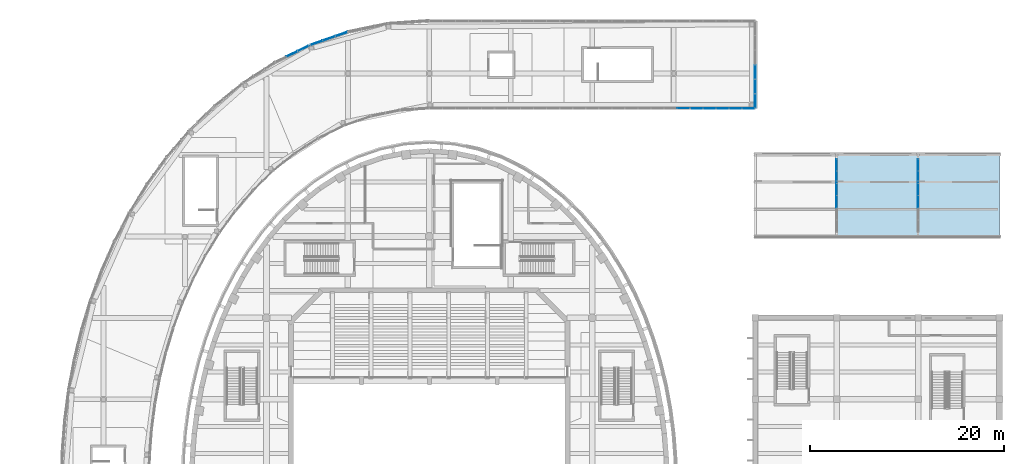
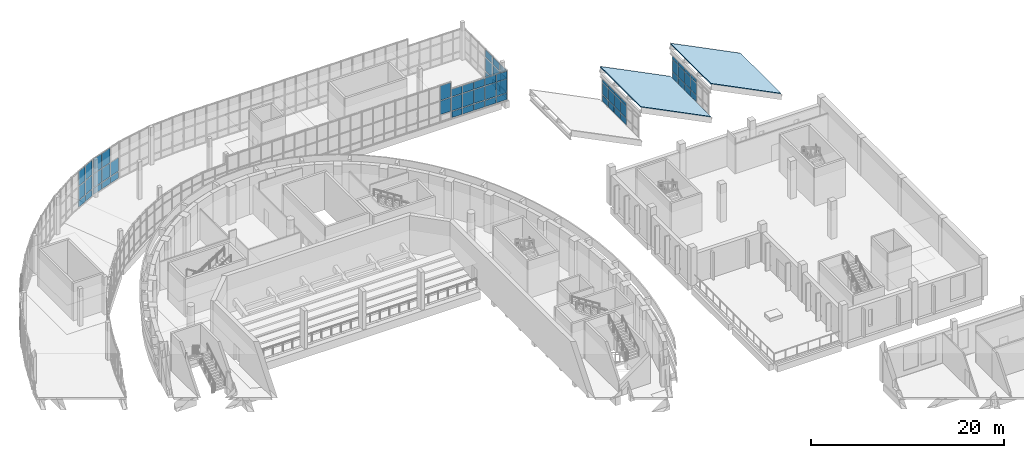
# One storey, part 46 of 103: 64 plates, 2 slabs, 7 elements without a shape of their own.
"""IFC4 building model written with IfcOpenShell, lengths in metres."""

from ifc_helpers import new_model, si_unit, direction, frame, origin, origin_2d, place, context, subcontext, project, spatial, polyline, rectangle, outline, extrude, material, layer, layer_set, type_object, element, aggregate, save


model = new_model("IFC4")

# Units and contexts
model_context = context("Model", 3, precision=1e-05, world=origin(), true_north=direction((0.0, 1.0)))
body_context = subcontext(model_context, "Body", "Model", "MODEL_VIEW")
ifc_project = project(units=[si_unit("LENGTHUNIT", "METRE"), si_unit("AREAUNIT", "SQUARE_METRE"), si_unit("VOLUMEUNIT", "CUBIC_METRE"), si_unit("PLANEANGLEUNIT", "RADIAN"), si_unit("MASSUNIT", "GRAM", prefix="KILO")], contexts=[model_context])

# Site, building, storey
site_placement = place(None, origin())
site = spatial("IfcSite", under=ifc_project, at=site_placement, CompositionType="ELEMENT")
building_placement = place(site_placement, origin())
building = spatial("IfcBuilding", under=site, at=building_placement, Name="Larchfold Concert Hall", CompositionType="ELEMENT")
storey_placement = place(building_placement, frame((0.0, 0.0, 9.60009765625)))
storey = spatial("IfcBuildingStorey", under=building, at=storey_placement, Name="L02", CompositionType="ELEMENT", Elevation=9.60009765625)

# Curtain wall, plates
ifc_material_1 = material(Name="Anodised graphite aluminium curtain wall", Category="aluminium")
ifc_layer_1 = layer(ifc_material_1, 0.10009765625)
ifc_layer_set_1 = layer_set([ifc_layer_1], Name="Anodised graphite aluminium curtain wall")
curtain_wall_type_1 = type_object("IfcCurtainWallType", Name="Curtain wall GL", PredefinedType="NOTDEFINED", material=ifc_layer_set_1)
curtain_wall_1_placement = place(storey_placement, origin())
curtain_wall_1 = element("IfcCurtainWall", 1, at=curtain_wall_1_placement, inside=storey, type_object=curtain_wall_type_1, Name="Curtain wall CW8002", PredefinedType="NOTDEFINED")
ifc_material_2 = material(Name="Insulated glazing unit, glass", Category="glass")
ifc_layer_2 = layer(ifc_material_2, 0.02587890625)
ifc_layer_set_2 = layer_set([ifc_layer_2], Name="Insulated glazing unit, glass")
plate_type_1 = type_object("IfcPlateType", Name="Glass panel 26", PredefinedType="CURTAIN_PANEL", material=ifc_layer_set_2)
plate_1_placement = place(storey_placement, frame((84.60009765625, 113.36669921875, 0.929931640625), z_axis=(0.0, 0.0, 1.0), x_axis=(0.0, 1.0, 0.0)))
plate_1 = element("IfcPlate", 2, at=plate_1_placement, type_object=plate_type_1, Name="CW8002 panel 3.2", PredefinedType="CURTAIN_PANEL", context=body_context, shape_type="SweptSolid", body=[
    extrude(rectangle(XDim=1.216796875, YDim=0.02587890625, at=origin_2d()), origin(), (0.0, 0.0, 1.0), 1.4638671875),
])
plate_2_placement = place(storey_placement, frame((84.60009765625, 113.36669921875, 2.4541015625), z_axis=(0.0, 0.0, 1.0), x_axis=(0.0, 1.0, 0.0)))
plate_2 = element("IfcPlate", 3, at=plate_2_placement, type_object=plate_type_1, Name="CW8002 panel 3.3", PredefinedType="CURTAIN_PANEL", context=body_context, shape_type="SweptSolid", body=[
    extrude(rectangle(XDim=1.216796875, YDim=0.02587890625, at=origin_2d()), origin(), (0.0, 0.0, 1.0), 0.409912109375),
])
plate_3_placement = place(storey_placement, frame((84.60009765625, 114.63330078125, 0.929931640625), z_axis=(0.0, 0.0, 1.0), x_axis=(0.0, 1.0, 0.0)))
plate_3 = element("IfcPlate", 4, at=plate_3_placement, type_object=plate_type_1, Name="CW8002 panel 4.2", PredefinedType="CURTAIN_PANEL", context=body_context, shape_type="SweptSolid", body=[
    extrude(rectangle(XDim=1.216796875, YDim=0.02587890625, at=origin_2d()), origin(), (0.0, 0.0, 1.0), 1.4638671875),
])
plate_4_placement = place(storey_placement, frame((84.60009765625, 114.63330078125, 2.4541015625), z_axis=(0.0, 0.0, 1.0), x_axis=(0.0, 1.0, 0.0)))
plate_4 = element("IfcPlate", 5, at=plate_4_placement, type_object=plate_type_1, Name="CW8002 panel 4.3", PredefinedType="CURTAIN_PANEL", context=body_context, shape_type="SweptSolid", body=[
    extrude(rectangle(XDim=1.216796875, YDim=0.02587890625, at=origin_2d()), origin(), (0.0, 0.0, 1.0), 0.409912109375),
])
plate_5_placement = place(storey_placement, frame((84.60009765625, 115.89990234375, 0.929931640625), z_axis=(0.0, 0.0, 1.0), x_axis=(0.0, 1.0, 0.0)))
plate_5 = element("IfcPlate", 6, at=plate_5_placement, type_object=plate_type_1, Name="CW8002 panel 5.2", PredefinedType="CURTAIN_PANEL", context=body_context, shape_type="SweptSolid", body=[
    extrude(rectangle(XDim=1.216796875, YDim=0.02587890625, at=origin_2d()), origin(), (0.0, 0.0, 1.0), 1.4638671875),
])
plate_6_placement = place(storey_placement, frame((84.60009765625, 115.89990234375, 2.4541015625), z_axis=(0.0, 0.0, 1.0), x_axis=(0.0, 1.0, 0.0)))
plate_6 = element("IfcPlate", 7, at=plate_6_placement, type_object=plate_type_1, Name="CW8002 panel 5.3", PredefinedType="CURTAIN_PANEL", context=body_context, shape_type="SweptSolid", body=[
    extrude(rectangle(XDim=1.216796875, YDim=0.02587890625, at=origin_2d()), origin(), (0.0, 0.0, 1.0), 0.409912109375),
])
plate_7_placement = place(storey_placement, frame((84.60009765625, 117.154296875, 0.929931640625), z_axis=(0.0, 0.0, 1.0), x_axis=(0.0, 1.0, 0.0)))
plate_7 = element("IfcPlate", 8, at=plate_7_placement, type_object=plate_type_1, Name="CW8002 panel 6.2", PredefinedType="CURTAIN_PANEL", context=body_context, shape_type="SweptSolid", body=[
    extrude(rectangle(XDim=1.191650390625, YDim=0.02587890625, at=origin_2d()), origin(), (0.0, 0.0, 1.0), 1.4638671875),
])
plate_8_placement = place(storey_placement, frame((84.60009765625, 117.154296875, 2.4541015625), z_axis=(0.0, 0.0, 1.0), x_axis=(0.0, 1.0, 0.0)))
plate_8 = element("IfcPlate", 9, at=plate_8_placement, type_object=plate_type_1, Name="CW8002 panel 6.3", PredefinedType="CURTAIN_PANEL", context=body_context, shape_type="SweptSolid", body=[
    extrude(rectangle(XDim=1.191650390625, YDim=0.02587890625, at=origin_2d()), origin(), (0.0, 0.0, 1.0), 0.409912109375),
])

curtain_wall_2_placement = place(storey_placement, origin())
curtain_wall_2 = element("IfcCurtainWall", 10, at=curtain_wall_2_placement, inside=storey, type_object=curtain_wall_type_1, Name="Curtain wall CW8003", PredefinedType="NOTDEFINED")
plate_9_placement = place(storey_placement, frame((93.0, 113.36669921875, 0.929931640625), z_axis=(0.0, 0.0, 1.0), x_axis=(0.0, 1.0, 0.0)))
plate_9 = element("IfcPlate", 11, at=plate_9_placement, type_object=plate_type_1, Name="CW8003 panel 3.2", PredefinedType="CURTAIN_PANEL", context=body_context, shape_type="SweptSolid", body=[
    extrude(rectangle(XDim=1.216796875, YDim=0.02587890625, at=origin_2d()), origin(), (0.0, 0.0, 1.0), 1.4638671875),
])
plate_10_placement = place(storey_placement, frame((93.0, 113.36669921875, 2.4541015625), z_axis=(0.0, 0.0, 1.0), x_axis=(0.0, 1.0, 0.0)))
plate_10 = element("IfcPlate", 12, at=plate_10_placement, type_object=plate_type_1, Name="CW8003 panel 3.3", PredefinedType="CURTAIN_PANEL", context=body_context, shape_type="SweptSolid", body=[
    extrude(rectangle(XDim=1.216796875, YDim=0.02587890625, at=origin_2d()), origin(), (0.0, 0.0, 1.0), 0.409912109375),
])
plate_11_placement = place(storey_placement, frame((93.0, 114.63330078125, 0.929931640625), z_axis=(0.0, 0.0, 1.0), x_axis=(0.0, 1.0, 0.0)))
plate_11 = element("IfcPlate", 13, at=plate_11_placement, type_object=plate_type_1, Name="CW8003 panel 4.2", PredefinedType="CURTAIN_PANEL", context=body_context, shape_type="SweptSolid", body=[
    extrude(rectangle(XDim=1.216796875, YDim=0.02587890625, at=origin_2d()), origin(), (0.0, 0.0, 1.0), 1.4638671875),
])
plate_12_placement = place(storey_placement, frame((93.0, 114.63330078125, 2.4541015625), z_axis=(0.0, 0.0, 1.0), x_axis=(0.0, 1.0, 0.0)))
plate_12 = element("IfcPlate", 14, at=plate_12_placement, type_object=plate_type_1, Name="CW8003 panel 4.3", PredefinedType="CURTAIN_PANEL", context=body_context, shape_type="SweptSolid", body=[
    extrude(rectangle(XDim=1.216796875, YDim=0.02587890625, at=origin_2d()), origin(), (0.0, 0.0, 1.0), 0.409912109375),
])
plate_13_placement = place(storey_placement, frame((93.0, 115.89990234375, 0.929931640625), z_axis=(0.0, 0.0, 1.0), x_axis=(0.0, 1.0, 0.0)))
plate_13 = element("IfcPlate", 15, at=plate_13_placement, type_object=plate_type_1, Name="CW8003 panel 5.2", PredefinedType="CURTAIN_PANEL", context=body_context, shape_type="SweptSolid", body=[
    extrude(rectangle(XDim=1.216796875, YDim=0.02587890625, at=origin_2d()), origin(), (0.0, 0.0, 1.0), 1.4638671875),
])
plate_14_placement = place(storey_placement, frame((93.0, 115.89990234375, 2.4541015625), z_axis=(0.0, 0.0, 1.0), x_axis=(0.0, 1.0, 0.0)))
plate_14 = element("IfcPlate", 16, at=plate_14_placement, type_object=plate_type_1, Name="CW8003 panel 5.3", PredefinedType="CURTAIN_PANEL", context=body_context, shape_type="SweptSolid", body=[
    extrude(rectangle(XDim=1.216796875, YDim=0.02587890625, at=origin_2d()), origin(), (0.0, 0.0, 1.0), 0.409912109375),
])
plate_15_placement = place(storey_placement, frame((93.0, 117.154296875, 0.929931640625), z_axis=(0.0, 0.0, 1.0), x_axis=(0.0, 1.0, 0.0)))
plate_15 = element("IfcPlate", 17, at=plate_15_placement, type_object=plate_type_1, Name="CW8003 panel 6.2", PredefinedType="CURTAIN_PANEL", context=body_context, shape_type="SweptSolid", body=[
    extrude(rectangle(XDim=1.191650390625, YDim=0.02587890625, at=origin_2d()), origin(), (0.0, 0.0, 1.0), 1.4638671875),
])
plate_16_placement = place(storey_placement, frame((93.0, 117.154296875, 2.4541015625), z_axis=(0.0, 0.0, 1.0), x_axis=(0.0, 1.0, 0.0)))
plate_16 = element("IfcPlate", 18, at=plate_16_placement, type_object=plate_type_1, Name="CW8003 panel 6.3", PredefinedType="CURTAIN_PANEL", context=body_context, shape_type="SweptSolid", body=[
    extrude(rectangle(XDim=1.191650390625, YDim=0.02587890625, at=origin_2d()), origin(), (0.0, 0.0, 1.0), 0.409912109375),
])

ifc_material_3 = material(Name="Anodised graphite aluminium curtain wall", Category="aluminium")
ifc_layer_3 = layer(ifc_material_3, 0.14990234375)
ifc_layer_set_3 = layer_set([ifc_layer_3], Name="Anodised graphite aluminium curtain wall")
curtain_wall_type_2 = type_object("IfcCurtainWallType", Name="Curtain wall WG", PredefinedType="NOTDEFINED", material=ifc_layer_set_3)
curtain_wall_3_placement = place(storey_placement, origin())
curtain_wall_3 = element("IfcCurtainWall", 19, at=curtain_wall_3_placement, inside=storey, type_object=curtain_wall_type_2, Name="Curtain wall CW0246", PredefinedType="NOTDEFINED")
ifc_material_4 = material(Name="Insulated glazing unit, glass", Category="glass")
ifc_layer_4 = layer(ifc_material_4, 0.028076171875)
ifc_layer_set_4 = layer_set([ifc_layer_4], Name="Insulated glazing unit, glass")
plate_type_2 = type_object("IfcPlateType", Name="Glass panel 28", PredefinedType="CURTAIN_PANEL", material=ifc_layer_set_4)
plate_17_placement = place(storey_placement, frame((68.79296875, 123.0, 0.93994140625), z_axis=(0.0, 0.0, 1.0), x_axis=(1.0, 0.0, 0.0)))
plate_17 = element("IfcPlate", 20, at=plate_17_placement, type_object=plate_type_2, Name="CW0246 panel 5.2", PredefinedType="CURTAIN_PANEL", context=body_context, shape_type="SweptSolid", body=[
    extrude(rectangle(XDim=1.25390625, YDim=0.028076171875, at=origin_2d()), origin(), (0.0, 0.0, 1.0), 1.719970703125),
])
plate_18_placement = place(storey_placement, frame((68.79296875, 123.0, 2.740234375), z_axis=(0.0, 0.0, 1.0), x_axis=(1.0, 0.0, 0.0)))
plate_18 = element("IfcPlate", 21, at=plate_18_placement, type_object=plate_type_2, Name="CW0246 panel 5.3", PredefinedType="CURTAIN_PANEL", context=body_context, shape_type="SweptSolid", body=[
    extrude(rectangle(XDim=1.25390625, YDim=0.028076171875, at=origin_2d()), origin(), (0.0, 0.0, 1.0), 1.829833984375),
])
aggregate(curtain_wall_3, [plate_17, plate_18])

curtain_wall_4_placement = place(storey_placement, origin())
curtain_wall_4 = element("IfcCurtainWall", 22, at=curtain_wall_4_placement, inside=storey, type_object=curtain_wall_type_2, Name="Curtain wall CW0247", PredefinedType="NOTDEFINED")
plate_19_placement = place(storey_placement, frame((70.1669921875, 123.0, 0.93994140625), z_axis=(0.0, 0.0, 1.0), x_axis=(1.0, 0.0, 0.0)))
plate_19 = element("IfcPlate", 23, at=plate_19_placement, type_object=plate_type_2, Name="CW0247 panel 1.2", PredefinedType="CURTAIN_PANEL", context=body_context, shape_type="SweptSolid", body=[
    extrude(rectangle(XDim=1.25390625, YDim=0.028076171875, at=origin_2d()), origin(), (0.0, 0.0, 1.0), 1.719970703125),
])
plate_20_placement = place(storey_placement, frame((70.1669921875, 123.0, 2.740234375), z_axis=(0.0, 0.0, 1.0), x_axis=(1.0, 0.0, 0.0)))
plate_20 = element("IfcPlate", 24, at=plate_20_placement, type_object=plate_type_2, Name="CW0247 panel 1.3", PredefinedType="CURTAIN_PANEL", context=body_context, shape_type="SweptSolid", body=[
    extrude(rectangle(XDim=1.25390625, YDim=0.028076171875, at=origin_2d()), origin(), (0.0, 0.0, 1.0), 0.929931640625),
])
plate_21_placement = place(storey_placement, frame((71.49609375, 123.0, 0.93994140625), z_axis=(0.0, 0.0, 1.0), x_axis=(1.0, 0.0, 0.0)))
plate_21 = element("IfcPlate", 25, at=plate_21_placement, type_object=plate_type_2, Name="CW0247 panel 2.2", PredefinedType="CURTAIN_PANEL", context=body_context, shape_type="SweptSolid", body=[
    extrude(rectangle(XDim=1.283935546875, YDim=0.028076171875, at=origin_2d()), origin(), (0.0, 0.0, 1.0), 1.719970703125),
])
plate_22_placement = place(storey_placement, frame((71.49609375, 123.0, 2.740234375), z_axis=(0.0, 0.0, 1.0), x_axis=(1.0, 0.0, 0.0)))
plate_22 = element("IfcPlate", 26, at=plate_22_placement, type_object=plate_type_2, Name="CW0247 panel 2.3", PredefinedType="CURTAIN_PANEL", context=body_context, shape_type="SweptSolid", body=[
    extrude(rectangle(XDim=1.283935546875, YDim=0.028076171875, at=origin_2d()), origin(), (0.0, 0.0, 1.0), 0.929931640625),
])
plate_23_placement = place(storey_placement, frame((72.83984375, 123.0, 0.93994140625), z_axis=(0.0, 0.0, 1.0), x_axis=(1.0, 0.0, 0.0)))
plate_23 = element("IfcPlate", 27, at=plate_23_placement, type_object=plate_type_2, Name="CW0247 panel 3.2", PredefinedType="CURTAIN_PANEL", context=body_context, shape_type="SweptSolid", body=[
    extrude(rectangle(XDim=1.283935546875, YDim=0.028076171875, at=origin_2d()), origin(), (0.0, 0.0, 1.0), 1.719970703125),
])
plate_24_placement = place(storey_placement, frame((72.83984375, 123.0, 2.740234375), z_axis=(0.0, 0.0, 1.0), x_axis=(1.0, 0.0, 0.0)))
plate_24 = element("IfcPlate", 28, at=plate_24_placement, type_object=plate_type_2, Name="CW0247 panel 3.3", PredefinedType="CURTAIN_PANEL", context=body_context, shape_type="SweptSolid", body=[
    extrude(rectangle(XDim=1.283935546875, YDim=0.028076171875, at=origin_2d()), origin(), (0.0, 0.0, 1.0), 0.929931640625),
])
plate_25_placement = place(storey_placement, frame((74.18408203125, 123.0, 0.93994140625), z_axis=(0.0, 0.0, 1.0), x_axis=(1.0, 0.0, 0.0)))
plate_25 = element("IfcPlate", 29, at=plate_25_placement, type_object=plate_type_2, Name="CW0247 panel 4.2", PredefinedType="CURTAIN_PANEL", context=body_context, shape_type="SweptSolid", body=[
    extrude(rectangle(XDim=1.283935546875, YDim=0.028076171875, at=origin_2d()), origin(), (0.0, 0.0, 1.0), 1.719970703125),
])
plate_26_placement = place(storey_placement, frame((74.18408203125, 123.0, 2.740234375), z_axis=(0.0, 0.0, 1.0), x_axis=(1.0, 0.0, 0.0)))
plate_26 = element("IfcPlate", 30, at=plate_26_placement, type_object=plate_type_2, Name="CW0247 panel 4.3", PredefinedType="CURTAIN_PANEL", context=body_context, shape_type="SweptSolid", body=[
    extrude(rectangle(XDim=1.283935546875, YDim=0.028076171875, at=origin_2d()), origin(), (0.0, 0.0, 1.0), 0.929931640625),
])
plate_27_placement = place(storey_placement, frame((75.512939453125, 123.0, 0.93994140625), z_axis=(0.0, 0.0, 1.0), x_axis=(1.0, 0.0, 0.0)))
plate_27 = element("IfcPlate", 31, at=plate_27_placement, type_object=plate_type_2, Name="CW0247 panel 5.2", PredefinedType="CURTAIN_PANEL", context=body_context, shape_type="SweptSolid", body=[
    extrude(rectangle(XDim=1.25390625, YDim=0.028076171875, at=origin_2d()), origin(), (0.0, 0.0, 1.0), 1.719970703125),
])
plate_28_placement = place(storey_placement, frame((75.512939453125, 123.0, 2.740234375), z_axis=(0.0, 0.0, 1.0), x_axis=(1.0, 0.0, 0.0)))
plate_28 = element("IfcPlate", 32, at=plate_28_placement, type_object=plate_type_2, Name="CW0247 panel 5.3", PredefinedType="CURTAIN_PANEL", context=body_context, shape_type="SweptSolid", body=[
    extrude(rectangle(XDim=1.25390625, YDim=0.028076171875, at=origin_2d()), origin(), (0.0, 0.0, 1.0), 0.929931640625),
])

curtain_wall_5_placement = place(storey_placement, origin())
curtain_wall_5 = element("IfcCurtainWall", 33, at=curtain_wall_5_placement, inside=storey, type_object=curtain_wall_type_2, Name="Curtain wall CW0248", PredefinedType="NOTDEFINED")
plate_29_placement = place(storey_placement, frame((76.199951171875, 123.764892578125, 0.93994140625), z_axis=(0.0, 0.0, 1.0), x_axis=(0.0, 1.0, 0.0)))
plate_29 = element("IfcPlate", 34, at=plate_29_placement, type_object=plate_type_2, Name="CW0248 panel 1.2", PredefinedType="CURTAIN_PANEL", context=body_context, shape_type="SweptSolid", body=[
    extrude(rectangle(XDim=1.409912109375, YDim=0.028076171875, at=origin_2d()), origin(), (0.0, 0.0, 1.0), 1.719970703125),
])
plate_30_placement = place(storey_placement, frame((76.199951171875, 123.764892578125, 2.740234375), z_axis=(0.0, 0.0, 1.0), x_axis=(0.0, 1.0, 0.0)))
plate_30 = element("IfcPlate", 35, at=plate_30_placement, type_object=plate_type_2, Name="CW0248 panel 1.3", PredefinedType="CURTAIN_PANEL", context=body_context, shape_type="SweptSolid", body=[
    extrude(rectangle(XDim=1.409912109375, YDim=0.028076171875, at=origin_2d()), origin(), (0.0, 0.0, 1.0), 0.929931640625),
])
plate_31_placement = place(storey_placement, frame((76.199951171875, 125.25, 0.93994140625), z_axis=(0.0, 0.0, 1.0), x_axis=(0.0, 1.0, 0.0)))
plate_31 = element("IfcPlate", 36, at=plate_31_placement, type_object=plate_type_2, Name="CW0248 panel 2.2", PredefinedType="CURTAIN_PANEL", context=body_context, shape_type="SweptSolid", body=[
    extrude(rectangle(XDim=1.43994140625, YDim=0.028076171875, at=origin_2d()), origin(), (0.0, 0.0, 1.0), 1.719970703125),
])
plate_32_placement = place(storey_placement, frame((76.199951171875, 125.25, 2.740234375), z_axis=(0.0, 0.0, 1.0), x_axis=(0.0, 1.0, 0.0)))
plate_32 = element("IfcPlate", 37, at=plate_32_placement, type_object=plate_type_2, Name="CW0248 panel 2.3", PredefinedType="CURTAIN_PANEL", context=body_context, shape_type="SweptSolid", body=[
    extrude(rectangle(XDim=1.43994140625, YDim=0.028076171875, at=origin_2d()), origin(), (0.0, 0.0, 1.0), 0.929931640625),
])
plate_33_placement = place(storey_placement, frame((76.199951171875, 126.735107421875, 0.93994140625), z_axis=(0.0, 0.0, 1.0), x_axis=(0.0, 1.0, 0.0)))
plate_33 = element("IfcPlate", 38, at=plate_33_placement, type_object=plate_type_2, Name="CW0248 panel 3.2", PredefinedType="CURTAIN_PANEL", context=body_context, shape_type="SweptSolid", body=[
    extrude(rectangle(XDim=1.409912109375, YDim=0.028076171875, at=origin_2d()), origin(), (0.0, 0.0, 1.0), 1.719970703125),
])
plate_34_placement = place(storey_placement, frame((76.199951171875, 126.735107421875, 2.740234375), z_axis=(0.0, 0.0, 1.0), x_axis=(0.0, 1.0, 0.0)))
plate_34 = element("IfcPlate", 39, at=plate_34_placement, type_object=plate_type_2, Name="CW0248 panel 3.3", PredefinedType="CURTAIN_PANEL", context=body_context, shape_type="SweptSolid", body=[
    extrude(rectangle(XDim=1.409912109375, YDim=0.028076171875, at=origin_2d()), origin(), (0.0, 0.0, 1.0), 0.929931640625),
])

curtain_wall_6_placement = place(storey_placement, origin())
curtain_wall_6 = element("IfcCurtainWall", 40, at=curtain_wall_6_placement, inside=storey, type_object=curtain_wall_type_2, Name="Curtain wall CW0257", PredefinedType="NOTDEFINED")
plate_35_placement = place(storey_placement, frame((33.5478515625, 130.650146484375, 0.93994140625), z_axis=(0.0, 0.0, 1.0), x_axis=(-0.944365305229, -0.328898419395, 0.0)))
plate_35 = element("IfcPlate", 41, at=plate_35_placement, type_object=plate_type_2, Name="CW0257 panel 1.2", PredefinedType="CURTAIN_PANEL", context=body_context, shape_type="SweptSolid", body=[
    extrude(rectangle(XDim=1.288330078125, YDim=0.028076171875, at=origin_2d()), origin(), (0.0, 0.0, 1.0), 1.719970703125),
])
plate_36_placement = place(storey_placement, frame((32.26025390625, 130.201904296875, 0.93994140625), z_axis=(0.0, 0.0, 1.0), x_axis=(-0.944365305229, -0.328898419395, 0.0)))
plate_36 = element("IfcPlate", 42, at=plate_36_placement, type_object=plate_type_2, Name="CW0257 panel 2.2", PredefinedType="CURTAIN_PANEL", context=body_context, shape_type="SweptSolid", body=[
    extrude(rectangle(XDim=1.318359375, YDim=0.028076171875, at=origin_2d()), origin(), (0.0, 0.0, 1.0), 1.719970703125),
])
plate_37_placement = place(storey_placement, frame((32.26025390625, 130.201904296875, 2.740234375), z_axis=(0.0, 0.0, 1.0), x_axis=(-0.944365305229, -0.328898419395, 0.0)))
plate_37 = element("IfcPlate", 43, at=plate_37_placement, type_object=plate_type_2, Name="CW0257 panel 2.3", PredefinedType="CURTAIN_PANEL", context=body_context, shape_type="SweptSolid", body=[
    extrude(rectangle(XDim=1.318359375, YDim=0.028076171875, at=origin_2d()), origin(), (0.0, 0.0, 1.0), 1.829833984375),
])
plate_38_placement = place(storey_placement, frame((30.97265625, 129.75341796875, 0.93994140625), z_axis=(0.0, 0.0, 1.0), x_axis=(-0.944365305229, -0.328898419395, 0.0)))
plate_38 = element("IfcPlate", 44, at=plate_38_placement, type_object=plate_type_2, Name="CW0257 panel 3.2", PredefinedType="CURTAIN_PANEL", context=body_context, shape_type="SweptSolid", body=[
    extrude(rectangle(XDim=1.288330078125, YDim=0.028076171875, at=origin_2d()), origin(), (0.0, 0.0, 1.0), 1.719970703125),
])
plate_39_placement = place(storey_placement, frame((30.97265625, 129.75341796875, 2.740234375), z_axis=(0.0, 0.0, 1.0), x_axis=(-0.944365305229, -0.328898419395, 0.0)))
plate_39 = element("IfcPlate", 45, at=plate_39_placement, type_object=plate_type_2, Name="CW0257 panel 3.3", PredefinedType="CURTAIN_PANEL", context=body_context, shape_type="SweptSolid", body=[
    extrude(rectangle(XDim=1.288330078125, YDim=0.028076171875, at=origin_2d()), origin(), (0.0, 0.0, 1.0), 1.829833984375),
])

curtain_wall_7_placement = place(storey_placement, origin())
curtain_wall_7 = element("IfcCurtainWall", 46, at=curtain_wall_7_placement, inside=storey, type_object=curtain_wall_type_2, Name="Curtain wall CW0258", PredefinedType="NOTDEFINED")
plate_40_placement = place(storey_placement, frame((29.593017578125, 129.169189453125, 0.93994140625), z_axis=(0.0, 0.0, 1.0), x_axis=(-0.896822807126, -0.442389932773, 0.0)))
plate_40 = element("IfcPlate", 47, at=plate_40_placement, type_object=plate_type_2, Name="CW0258 panel 1.2", PredefinedType="CURTAIN_PANEL", context=body_context, shape_type="SweptSolid", body=[
    extrude(rectangle(XDim=1.20751953125, YDim=0.028076171875, at=origin_2d()), origin(), (0.0, 0.0, 1.0), 1.719970703125),
])
plate_41_placement = place(storey_placement, frame((29.593017578125, 129.169189453125, 2.740234375), z_axis=(0.0, 0.0, 1.0), x_axis=(-0.896822807126, -0.442389932773, 0.0)))
plate_41 = element("IfcPlate", 48, at=plate_41_placement, type_object=plate_type_2, Name="CW0258 panel 1.3", PredefinedType="CURTAIN_PANEL", context=body_context, shape_type="SweptSolid", body=[
    extrude(rectangle(XDim=1.20751953125, YDim=0.028076171875, at=origin_2d()), origin(), (0.0, 0.0, 1.0), 1.829833984375),
])
plate_42_placement = place(storey_placement, frame((28.44287109375, 128.60205078125, 0.93994140625), z_axis=(0.0, 0.0, 1.0), x_axis=(-0.896822807126, -0.442389932773, 0.0)))
plate_42 = element("IfcPlate", 49, at=plate_42_placement, type_object=plate_type_2, Name="CW0258 panel 2.2", PredefinedType="CURTAIN_PANEL", context=body_context, shape_type="SweptSolid", body=[
    extrude(rectangle(XDim=1.237548828125, YDim=0.028076171875, at=origin_2d()), origin(), (0.0, 0.0, 1.0), 1.719970703125),
])
plate_43_placement = place(storey_placement, frame((28.44287109375, 128.60205078125, 2.740234375), z_axis=(0.0, 0.0, 1.0), x_axis=(-0.896822807126, -0.442389932773, 0.0)))
plate_43 = element("IfcPlate", 50, at=plate_43_placement, type_object=plate_type_2, Name="CW0258 panel 2.3", PredefinedType="CURTAIN_PANEL", context=body_context, shape_type="SweptSolid", body=[
    extrude(rectangle(XDim=1.237548828125, YDim=0.028076171875, at=origin_2d()), origin(), (0.0, 0.0, 1.0), 1.829833984375),
])

# Plate
ifc_material_5 = material(Name="White insulated panel")
ifc_layer_5 = layer(ifc_material_5, 0.044921875)
ifc_layer_set_5 = layer_set([ifc_layer_5], Name="White insulated panel")
plate_type_3 = type_object("IfcPlateType", Name="Insulated spandrel panel 45", PredefinedType="CURTAIN_PANEL", material=ifc_layer_set_5)
plate_44_placement = place(storey_placement, frame((84.60009765625, 113.36669921875, 0.06005859375), z_axis=(0.0, 0.0, 1.0), x_axis=(0.0, 1.0, 0.0)))
plate_44 = element("IfcPlate", 51, at=plate_44_placement, type_object=plate_type_3, Name="CW8002 panel 3.1", PredefinedType="CURTAIN_PANEL", context=body_context, shape_type="SweptSolid", body=[
    extrude(rectangle(XDim=1.216796875, YDim=0.044921875, at=origin_2d()), origin(), (0.0, 0.0, 1.0), 0.809814453125),
])

plate_45_placement = place(storey_placement, frame((84.60009765625, 114.63330078125, 0.06005859375), z_axis=(0.0, 0.0, 1.0), x_axis=(0.0, 1.0, 0.0)))
plate_45 = element("IfcPlate", 52, at=plate_45_placement, type_object=plate_type_3, Name="CW8002 panel 4.1", PredefinedType="CURTAIN_PANEL", context=body_context, shape_type="SweptSolid", body=[
    extrude(rectangle(XDim=1.216796875, YDim=0.044921875, at=origin_2d()), origin(), (0.0, 0.0, 1.0), 0.809814453125),
])

plate_46_placement = place(storey_placement, frame((84.60009765625, 115.89990234375, 0.06005859375), z_axis=(0.0, 0.0, 1.0), x_axis=(0.0, 1.0, 0.0)))
plate_46 = element("IfcPlate", 53, at=plate_46_placement, type_object=plate_type_3, Name="CW8002 panel 5.1", PredefinedType="CURTAIN_PANEL", context=body_context, shape_type="SweptSolid", body=[
    extrude(rectangle(XDim=1.216796875, YDim=0.044921875, at=origin_2d()), origin(), (0.0, 0.0, 1.0), 0.809814453125),
])

plate_47_placement = place(storey_placement, frame((84.60009765625, 117.154296875, 0.06005859375), z_axis=(0.0, 0.0, 1.0), x_axis=(0.0, 1.0, 0.0)))
plate_47 = element("IfcPlate", 54, at=plate_47_placement, type_object=plate_type_3, Name="CW8002 panel 6.1", PredefinedType="CURTAIN_PANEL", context=body_context, shape_type="SweptSolid", body=[
    extrude(rectangle(XDim=1.191650390625, YDim=0.044921875, at=origin_2d()), origin(), (0.0, 0.0, 1.0), 0.809814453125),
])

aggregate(curtain_wall_1, [plate_44, plate_1, plate_2, plate_45, plate_3, plate_4, plate_46, plate_5, plate_6, plate_47, plate_7, plate_8])

plate_48_placement = place(storey_placement, frame((93.0, 113.36669921875, 0.06005859375), z_axis=(0.0, 0.0, 1.0), x_axis=(0.0, 1.0, 0.0)))
plate_48 = element("IfcPlate", 55, at=plate_48_placement, type_object=plate_type_3, Name="CW8003 panel 3.1", PredefinedType="CURTAIN_PANEL", context=body_context, shape_type="SweptSolid", body=[
    extrude(rectangle(XDim=1.216796875, YDim=0.044921875, at=origin_2d()), origin(), (0.0, 0.0, 1.0), 0.809814453125),
])

plate_49_placement = place(storey_placement, frame((93.0, 114.63330078125, 0.06005859375), z_axis=(0.0, 0.0, 1.0), x_axis=(0.0, 1.0, 0.0)))
plate_49 = element("IfcPlate", 56, at=plate_49_placement, type_object=plate_type_3, Name="CW8003 panel 4.1", PredefinedType="CURTAIN_PANEL", context=body_context, shape_type="SweptSolid", body=[
    extrude(rectangle(XDim=1.216796875, YDim=0.044921875, at=origin_2d()), origin(), (0.0, 0.0, 1.0), 0.809814453125),
])

plate_50_placement = place(storey_placement, frame((93.0, 115.89990234375, 0.06005859375), z_axis=(0.0, 0.0, 1.0), x_axis=(0.0, 1.0, 0.0)))
plate_50 = element("IfcPlate", 57, at=plate_50_placement, type_object=plate_type_3, Name="CW8003 panel 5.1", PredefinedType="CURTAIN_PANEL", context=body_context, shape_type="SweptSolid", body=[
    extrude(rectangle(XDim=1.216796875, YDim=0.044921875, at=origin_2d()), origin(), (0.0, 0.0, 1.0), 0.809814453125),
])

plate_51_placement = place(storey_placement, frame((93.0, 117.154296875, 0.06005859375), z_axis=(0.0, 0.0, 1.0), x_axis=(0.0, 1.0, 0.0)))
plate_51 = element("IfcPlate", 58, at=plate_51_placement, type_object=plate_type_3, Name="CW8003 panel 6.1", PredefinedType="CURTAIN_PANEL", context=body_context, shape_type="SweptSolid", body=[
    extrude(rectangle(XDim=1.191650390625, YDim=0.044921875, at=origin_2d()), origin(), (0.0, 0.0, 1.0), 0.809814453125),
])

aggregate(curtain_wall_2, [plate_48, plate_9, plate_10, plate_49, plate_11, plate_12, plate_50, plate_13, plate_14, plate_51, plate_15, plate_16])

ifc_material_6 = material(Name="White insulated panel")
ifc_layer_6 = layer(ifc_material_6, 0.06005859375)
ifc_layer_set_6 = layer_set([ifc_layer_6], Name="White insulated panel")
plate_type_4 = type_object("IfcPlateType", Name="Insulated spandrel panel 60", PredefinedType="CURTAIN_PANEL", material=ifc_layer_set_6)
plate_52_placement = place(storey_placement, frame((70.1669921875, 123.0, 0.080078125), z_axis=(0.0, 0.0, 1.0), x_axis=(1.0, 0.0, 0.0)))
plate_52 = element("IfcPlate", 59, at=plate_52_placement, type_object=plate_type_4, Name="CW0247 panel 1.1", PredefinedType="CURTAIN_PANEL", context=body_context, shape_type="SweptSolid", body=[
    extrude(rectangle(XDim=1.25390625, YDim=0.06005859375, at=origin_2d()), origin(), (0.0, 0.0, 1.0), 0.77978515625),
])

plate_53_placement = place(storey_placement, frame((71.49609375, 123.0, 0.080078125), z_axis=(0.0, 0.0, 1.0), x_axis=(1.0, 0.0, 0.0)))
plate_53 = element("IfcPlate", 60, at=plate_53_placement, type_object=plate_type_4, Name="CW0247 panel 2.1", PredefinedType="CURTAIN_PANEL", context=body_context, shape_type="SweptSolid", body=[
    extrude(rectangle(XDim=1.283935546875, YDim=0.06005859375, at=origin_2d()), origin(), (0.0, 0.0, 1.0), 0.77978515625),
])

plate_54_placement = place(storey_placement, frame((72.83984375, 123.0, 0.080078125), z_axis=(0.0, 0.0, 1.0), x_axis=(1.0, 0.0, 0.0)))
plate_54 = element("IfcPlate", 61, at=plate_54_placement, type_object=plate_type_4, Name="CW0247 panel 3.1", PredefinedType="CURTAIN_PANEL", context=body_context, shape_type="SweptSolid", body=[
    extrude(rectangle(XDim=1.283935546875, YDim=0.06005859375, at=origin_2d()), origin(), (0.0, 0.0, 1.0), 0.77978515625),
])

plate_55_placement = place(storey_placement, frame((74.18408203125, 123.0, 0.080078125), z_axis=(0.0, 0.0, 1.0), x_axis=(1.0, 0.0, 0.0)))
plate_55 = element("IfcPlate", 62, at=plate_55_placement, type_object=plate_type_4, Name="CW0247 panel 4.1", PredefinedType="CURTAIN_PANEL", context=body_context, shape_type="SweptSolid", body=[
    extrude(rectangle(XDim=1.283935546875, YDim=0.06005859375, at=origin_2d()), origin(), (0.0, 0.0, 1.0), 0.77978515625),
])

plate_56_placement = place(storey_placement, frame((75.512939453125, 123.0, 0.080078125), z_axis=(0.0, 0.0, 1.0), x_axis=(1.0, 0.0, 0.0)))
plate_56 = element("IfcPlate", 63, at=plate_56_placement, type_object=plate_type_4, Name="CW0247 panel 5.1", PredefinedType="CURTAIN_PANEL", context=body_context, shape_type="SweptSolid", body=[
    extrude(rectangle(XDim=1.25390625, YDim=0.06005859375, at=origin_2d()), origin(), (0.0, 0.0, 1.0), 0.77978515625),
])

aggregate(curtain_wall_4, [plate_52, plate_19, plate_20, plate_53, plate_21, plate_22, plate_54, plate_23, plate_24, plate_55, plate_25, plate_26, plate_56, plate_27, plate_28])

plate_57_placement = place(storey_placement, frame((76.199951171875, 123.764892578125, 0.080078125), z_axis=(0.0, 0.0, 1.0), x_axis=(0.0, 1.0, 0.0)))
plate_57 = element("IfcPlate", 64, at=plate_57_placement, type_object=plate_type_4, Name="CW0248 panel 1.1", PredefinedType="CURTAIN_PANEL", context=body_context, shape_type="SweptSolid", body=[
    extrude(rectangle(XDim=1.409912109375, YDim=0.06005859375, at=origin_2d()), origin(), (0.0, 0.0, 1.0), 0.77978515625),
])

plate_58_placement = place(storey_placement, frame((76.199951171875, 125.25, 0.080078125), z_axis=(0.0, 0.0, 1.0), x_axis=(0.0, 1.0, 0.0)))
plate_58 = element("IfcPlate", 65, at=plate_58_placement, type_object=plate_type_4, Name="CW0248 panel 2.1", PredefinedType="CURTAIN_PANEL", context=body_context, shape_type="SweptSolid", body=[
    extrude(rectangle(XDim=1.43994140625, YDim=0.06005859375, at=origin_2d()), origin(), (0.0, 0.0, 1.0), 0.77978515625),
])

plate_59_placement = place(storey_placement, frame((76.199951171875, 126.735107421875, 0.080078125), z_axis=(0.0, 0.0, 1.0), x_axis=(0.0, 1.0, 0.0)))
plate_59 = element("IfcPlate", 66, at=plate_59_placement, type_object=plate_type_4, Name="CW0248 panel 3.1", PredefinedType="CURTAIN_PANEL", context=body_context, shape_type="SweptSolid", body=[
    extrude(rectangle(XDim=1.409912109375, YDim=0.06005859375, at=origin_2d()), origin(), (0.0, 0.0, 1.0), 0.77978515625),
])

aggregate(curtain_wall_5, [plate_57, plate_29, plate_30, plate_58, plate_31, plate_32, plate_59, plate_33, plate_34])

plate_60_placement = place(storey_placement, frame((33.5478515625, 130.650146484375, 0.080078125), z_axis=(0.0, 0.0, 1.0), x_axis=(-0.944365305229, -0.328898419395, 0.0)))
plate_60 = element("IfcPlate", 67, at=plate_60_placement, type_object=plate_type_4, Name="CW0257 panel 1.1", PredefinedType="CURTAIN_PANEL", context=body_context, shape_type="SweptSolid", body=[
    extrude(rectangle(XDim=1.288330078125, YDim=0.06005859375, at=origin_2d()), origin(), (0.0, 0.0, 1.0), 0.77978515625),
])

plate_61_placement = place(storey_placement, frame((32.26025390625, 130.201904296875, 0.080078125), z_axis=(0.0, 0.0, 1.0), x_axis=(-0.944365305229, -0.328898419395, 0.0)))
plate_61 = element("IfcPlate", 68, at=plate_61_placement, type_object=plate_type_4, Name="CW0257 panel 2.1", PredefinedType="CURTAIN_PANEL", context=body_context, shape_type="SweptSolid", body=[
    extrude(rectangle(XDim=1.318359375, YDim=0.06005859375, at=origin_2d()), origin(), (0.0, 0.0, 1.0), 0.77978515625),
])

plate_62_placement = place(storey_placement, frame((30.97265625, 129.75341796875, 0.080078125), z_axis=(0.0, 0.0, 1.0), x_axis=(-0.944365305229, -0.328898419395, 0.0)))
plate_62 = element("IfcPlate", 69, at=plate_62_placement, type_object=plate_type_4, Name="CW0257 panel 3.1", PredefinedType="CURTAIN_PANEL", context=body_context, shape_type="SweptSolid", body=[
    extrude(rectangle(XDim=1.288330078125, YDim=0.06005859375, at=origin_2d()), origin(), (0.0, 0.0, 1.0), 0.77978515625),
])

aggregate(curtain_wall_6, [plate_60, plate_35, plate_61, plate_36, plate_37, plate_62, plate_38, plate_39])

plate_63_placement = place(storey_placement, frame((29.593017578125, 129.169189453125, 0.080078125), z_axis=(0.0, 0.0, 1.0), x_axis=(-0.896822807126, -0.442389932773, 0.0)))
plate_63 = element("IfcPlate", 70, at=plate_63_placement, type_object=plate_type_4, Name="CW0258 panel 1.1", PredefinedType="CURTAIN_PANEL", context=body_context, shape_type="SweptSolid", body=[
    extrude(rectangle(XDim=1.20751953125, YDim=0.06005859375, at=origin_2d()), origin(), (0.0, 0.0, 1.0), 0.77978515625),
])

plate_64_placement = place(storey_placement, frame((28.44287109375, 128.60205078125, 0.080078125), z_axis=(0.0, 0.0, 1.0), x_axis=(-0.896822807126, -0.442389932773, 0.0)))
plate_64 = element("IfcPlate", 71, at=plate_64_placement, type_object=plate_type_4, Name="CW0258 panel 2.1", PredefinedType="CURTAIN_PANEL", context=body_context, shape_type="SweptSolid", body=[
    extrude(rectangle(XDim=1.237548828125, YDim=0.06005859375, at=origin_2d()), origin(), (0.0, 0.0, 1.0), 0.77978515625),
])

aggregate(curtain_wall_7, [plate_63, plate_40, plate_41, plate_64, plate_42, plate_43])

# Slabs
ifc_material_7 = material(Name="Steel S355", Category="steel")
ifc_layer_7 = layer(ifc_material_7, 0.10009765625)
ifc_layer_set_7 = layer_set([ifc_layer_7], Name="Steel S355")
slab_type = type_object("IfcSlabType", Name="Roof plate 100 insulated", PredefinedType="ROOF", material=ifc_layer_set_7)
for number, where, z_axis, x_axis, name in (
    (72, (93.0, 118.199951171875, 0.0), (0.4472135955, 0.0, 0.894427191), (0.0, -1.0, 0.0), "Roof plate FP041"),
    (73, (101.39990234375, 118.199951171875, 0.0), (0.4472135955, 0.0, 0.894427191), (0.0, -1.0, 0.0), "Roof plate FP042"),
):
    element("IfcSlab", number, at=place(storey_placement, frame(where, z_axis=z_axis, x_axis=x_axis)), inside=storey, type_object=slab_type, Name=name, PredefinedType="ROOF", context=body_context, shape_type="SweptSolid", body=[
        extrude(outline(polyline([(0.0, 0.0), (8.39990234375, 0.0), (8.39990234375, -9.391376322492404), (0.0, -9.391376322492404), (0.0, 0.0)])), origin(), (0.0, 0.0, -1.0), 0.10009765625),
    ])

save(model, "model.ifc")
